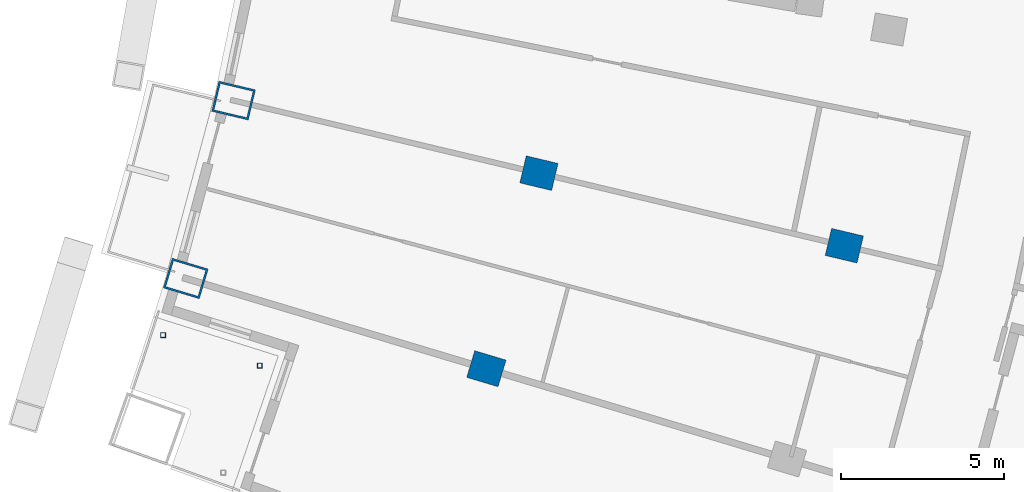
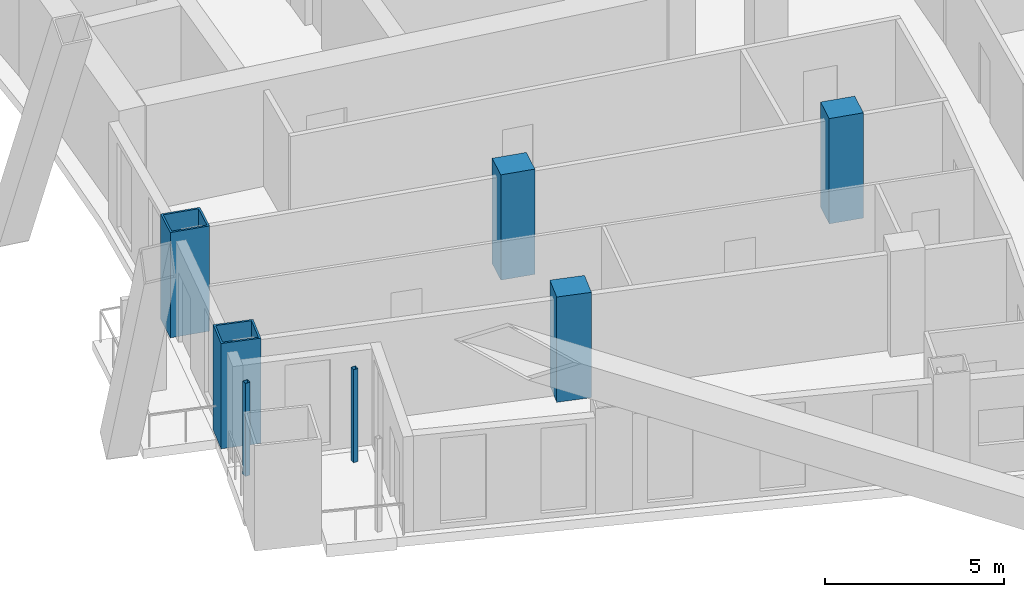
# One storey, part 3 of 25: 7 columns.
"""IFC4 building model written with IfcOpenShell, lengths in metres."""

from ifc_helpers import new_model, si_unit, direction, frame, origin, origin_2d, place, context, subcontext, project, spatial, rectangle, hollow_rectangle, extrude, material, material_profile, profile_set, type_object, element, save


model = new_model("IFC4")

# Units and contexts
model_context = context("Model", 3, precision=1e-05, world=origin(), true_north=direction((0.0, 1.0)))
body_context = subcontext(model_context, "Body", "Model", "MODEL_VIEW")
ifc_project = project(units=[si_unit("LENGTHUNIT", "METRE"), si_unit("AREAUNIT", "SQUARE_METRE"), si_unit("VOLUMEUNIT", "CUBIC_METRE"), si_unit("PLANEANGLEUNIT", "RADIAN"), si_unit("MASSUNIT", "GRAM", prefix="KILO")], contexts=[model_context])

# Site, building, storey
site_placement = place(None, origin())
site = spatial("IfcSite", under=ifc_project, at=site_placement, CompositionType="ELEMENT")
building_placement = place(site_placement, origin())
building = spatial("IfcBuilding", under=site, at=building_placement, Name="Alderwake Tower", CompositionType="ELEMENT")
storey_placement = place(building_placement, frame((0.0, 0.0, 93.199951171875)))
storey = spatial("IfcBuildingStorey", under=building, at=storey_placement, Name="L22", CompositionType="ELEMENT", Elevation=93.199951171875)

# Columns
ifc_material_1 = material(Name="Concrete C70/85", Category="concrete")
ifc_material_profile_1 = material_profile(ifc_material_1, rectangle(XDim=0.85009765625, YDim=1.0, at=origin_2d()), Name="RC 1000X850")
ifc_profile_set_1 = profile_set([ifc_material_profile_1], Name="Concrete C70/85")
column_type_1 = type_object("IfcColumnType", Name="Interior column Z2", PredefinedType="COLUMN", material=ifc_profile_set_1)
for number, where, z_axis, x_axis, name in (
    (1, (21.714599609375, 30.46240234375, 0.0), (0.0, 0.0, 1.0), (0.287549418125, 0.957765802342, 0.0), "Column R02-C1"),
    (2, (23.322021484375, 36.444091796875, 0.0), (0.0, 0.0, 1.0), (0.231221547198, 0.972901123502, 0.0), "Column R03-C1"),
    (3, (32.661865234375, 34.224609375, 0.0), (0.0, 0.0, 1.0), (0.231221547198, 0.972901123502, 0.0), "Column R03-C2"),
):
    element("IfcColumn", number, at=place(storey_placement, frame(where, z_axis=z_axis, x_axis=x_axis)), inside=storey, type_object=column_type_1, Name=name, PredefinedType="COLUMN", context=body_context, shape_type="SweptSolid", body=[
        extrude(rectangle(XDim=0.85009765625, YDim=1.0, at=origin_2d()), origin(), (0.0, 0.0, 1.0), 3.60009765625),
    ])
ifc_material_2 = material(Name="Steel ASTM A500 Grade C", Category="steel")
ifc_material_profile_2 = material_profile(ifc_material_2, hollow_rectangle(XDim=0.15234375, YDim=0.15234375, WallThickness=0.0087890625, at=origin_2d()), Name="HSS6X6X3/8")
ifc_profile_set_2 = profile_set([ifc_material_profile_2], Name="Steel ASTM A500 Grade C")
column_type_2 = type_object("IfcColumnType", Name="Light post HSS6X6X3/8", PredefinedType="COLUMN", material=ifc_profile_set_2)
for number, where, z_axis, x_axis, name in (
    (4, (11.82568359375, 31.492919921875, 0.0), (0.0, 0.0, 1.0), (1.0, 0.0, 0.0), "Terrace post RS1"),
    (5, (14.781494140625, 30.558349609375, 0.0), (0.0, 0.0, 1.0), (1.0, 0.0, 0.0), "Terrace post RS3"),
):
    element("IfcColumn", number, at=place(storey_placement, frame(where, z_axis=z_axis, x_axis=x_axis)), inside=storey, type_object=column_type_2, Name=name, PredefinedType="COLUMN", context=body_context, shape_type="SweptSolid", body=[
        extrude(hollow_rectangle(XDim=0.15234375, YDim=0.15234375, WallThickness=0.0087890625, at=origin_2d()), origin(), (0.0, 0.0, 1.0), 3.179931640625),
    ])
ifc_material_3 = material(Name="Steel ASTM A572 Grade 50 concrete filled C70/85", Category="concrete")
ifc_material_profile_3 = material_profile(ifc_material_3, hollow_rectangle(XDim=0.949951171875, YDim=1.14990234375, WallThickness=0.06005859375, at=origin_2d()), Name="BOX 1150X950X60")
ifc_profile_set_3 = profile_set([ifc_material_profile_3], Name="Steel ASTM A572 Grade 50 concrete filled C70/85")
column_type_3 = type_object("IfcColumnType", Name="Perimeter column Z2", PredefinedType="COLUMN", material=ifc_profile_set_3)
for number, where, z_axis, x_axis, name in (
    (6, (12.520263671875, 33.222900390625, 0.0), (0.0, 0.0, 1.0), (0.287549418125, 0.957765802342, 0.0), "Column R02-C0"),
    (7, (13.982177734375, 38.6640625, 0.0), (0.0, 0.0, 1.0), (0.231221547198, 0.972901123502, 0.0), "Column R03-C0"),
):
    element("IfcColumn", number, at=place(storey_placement, frame(where, z_axis=z_axis, x_axis=x_axis)), inside=storey, type_object=column_type_3, Name=name, PredefinedType="COLUMN", context=body_context, shape_type="SweptSolid", body=[
        extrude(hollow_rectangle(XDim=0.949951171875, YDim=1.14990234375, WallThickness=0.06005859375, at=origin_2d()), origin(), (0.0, 0.0, 1.0), 3.60009765625),
    ])

save(model, "model.ifc")
